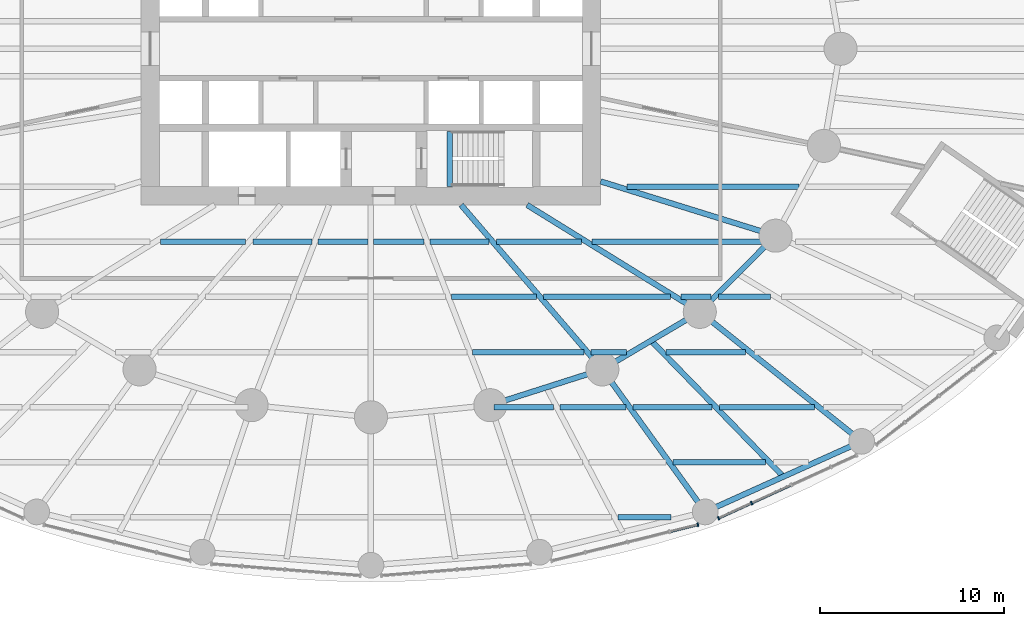
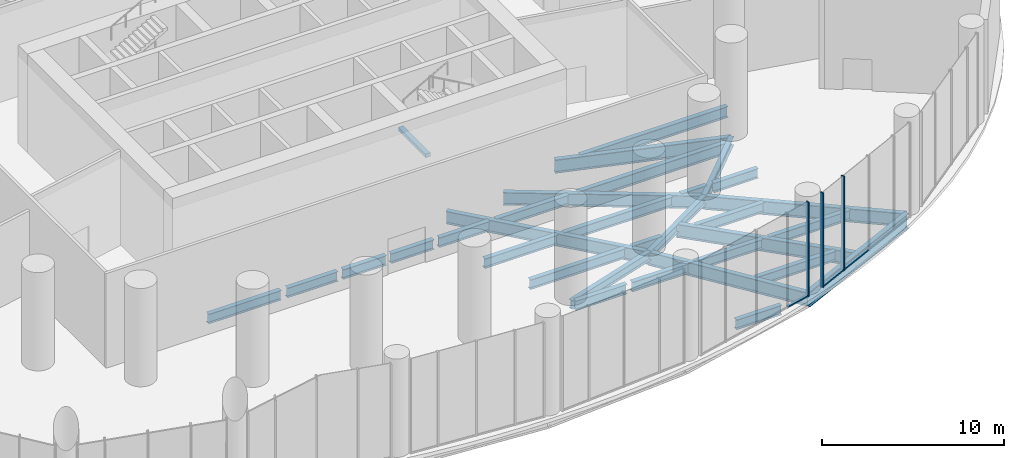
# One storey, part 5 of 22: 32 beams, 6 members, 2 elements without a shape of their own.
"""IFC4 building model written with IfcOpenShell, lengths in metres."""

from ifc_helpers import new_model, si_unit, direction, frame, origin, origin_2d, place, context, subcontext, project, spatial, rectangle, i_section, extrude, material, material_profile, profile_set, type_object, element, aggregate, save


model = new_model("IFC4")

# Units and contexts
model_context = context("Model", 3, precision=1e-05, world=origin(), true_north=direction((0.0, 1.0)))
body_context = subcontext(model_context, "Body", "Model", "MODEL_VIEW")
ifc_project = project(units=[si_unit("LENGTHUNIT", "METRE"), si_unit("AREAUNIT", "SQUARE_METRE"), si_unit("VOLUMEUNIT", "CUBIC_METRE"), si_unit("PLANEANGLEUNIT", "RADIAN"), si_unit("MASSUNIT", "GRAM", prefix="KILO")], contexts=[model_context])

# Site, building, storey
site_placement = place(None, origin())
site = spatial("IfcSite", under=ifc_project, at=site_placement, CompositionType="ELEMENT")
building_placement = place(site_placement, origin())
building = spatial("IfcBuilding", under=site, at=building_placement, Name="Hankou Lantern Tower", CompositionType="ELEMENT")
storey_placement = place(building_placement, frame((0.0, 0.0, 7.199951171875)))
storey = spatial("IfcBuildingStorey", under=building, at=storey_placement, Name="L01", CompositionType="ELEMENT", Elevation=7.199951171875)

# Beams
ifc_material_1 = material(Name="Steel Q355B", Category="steel")
ifc_material_profile_1 = material_profile(ifc_material_1, i_section(OverallWidth=0.300048828125, OverallDepth=0.587890625, WebThickness=0.011962890625, FlangeThickness=0.02001953125, FilletRadius=0.01806640625, at=origin_2d()), Name="HM588x300x12x20")
ifc_profile_set_1 = profile_set([ifc_material_profile_1], Name="Steel Q355B")
beam_type_1 = type_object("IfcBeamType", Name="EB16 RING BEAM HM588x300x12x20", PredefinedType="SPANDREL", material=ifc_profile_set_1)
beam_1_placement = place(storey_placement, frame((6.494873046875, -19.391357421875, -0.5439453125), z_axis=(0.952690479428, 0.303942182671, 0.0), x_axis=(-0.303942182671, 0.952690479428, 0.0)))
element("IfcBeam", 1, at=beam_1_placement, inside=storey, type_object=beam_type_1, Name="Ring beam R20-R21 L01", PredefinedType="SPANDREL", context=body_context, shape_type="SweptSolid", body=[
    extrude(i_section(OverallWidth=0.300048828125, OverallDepth=0.587890625, WebThickness=0.011962890625, FlangeThickness=0.02001953125, FilletRadius=0.01806640625, at=origin_2d()), origin(), (0.0, 0.0, 1.0), 6.398681640625),
])
beam_2_placement = place(storey_placement, frame((12.5908203125, -17.446533203125, -0.5439453125), z_axis=(0.860881533543, 0.508805449268, 0.0), x_axis=(-0.508805449268, 0.860881533543, 0.0)))
element("IfcBeam", 2, at=beam_2_placement, inside=storey, type_object=beam_type_1, Name="Ring beam R21-R22 L01", PredefinedType="SPANDREL", context=body_context, shape_type="SweptSolid", body=[
    extrude(i_section(OverallWidth=0.300048828125, OverallDepth=0.587890625, WebThickness=0.011962890625, FlangeThickness=0.02001953125, FilletRadius=0.01806640625, at=origin_2d()), origin(), (0.0, 0.0, 1.0), 6.15771484375),
])
beam_3_placement = place(storey_placement, frame((17.891845703125, -14.3134765625, -0.5439453125), z_axis=(0.705727798394, 0.708483079949, 0.0), x_axis=(-0.708483079949, 0.705727798394, 0.0)))
element("IfcBeam", 3, at=beam_3_placement, inside=storey, type_object=beam_type_1, Name="Ring beam R22-R23 L01", PredefinedType="SPANDREL", context=body_context, shape_type="SweptSolid", body=[
    extrude(i_section(OverallWidth=0.300048828125, OverallDepth=0.587890625, WebThickness=0.011962890625, FlangeThickness=0.02001953125, FilletRadius=0.01806640625, at=origin_2d()), origin(), (0.0, 0.0, 1.0), 5.84814453125),
])
ifc_material_2 = material(Name="Concrete C40", Category="concrete")
ifc_material_profile_2 = material_profile(ifc_material_2, rectangle(XDim=0.300048828125, YDim=0.25, at=origin_2d()), Name="RC 300x250")
ifc_profile_set_2 = profile_set([ifc_material_profile_2], Name="Concrete C40")
beam_type_2 = type_object("IfcBeamType", Name="LB1 STAIR LANDING BEAM RC 300x250", PredefinedType="BEAM", material=ifc_profile_set_2)
beam_4_placement = place(storey_placement, frame((4.300048828125, -4.5, 3.017822265625), z_axis=(0.0, -1.0, 0.0), x_axis=(1.0, 0.0, 0.0)))
element("IfcBeam", 4, at=beam_4_placement, inside=storey, type_object=beam_type_2, Name="Stair STB landing beam L01", PredefinedType="BEAM", context=body_context, shape_type="SweptSolid", body=[
    extrude(rectangle(XDim=0.300048828125, YDim=0.25, at=origin_2d()), origin(), (0.0, 0.0, 1.0), 3.0),
])

# Curtain wall, member
ifc_material_3 = material(Name="Glass, dark grey tinted laminated", Category="glass")
curtain_wall_type = type_object("IfcCurtainWallType", Name="CWP PODIUM CURTAIN WALL", PredefinedType="USERDEFINED", material=ifc_material_3)
curtain_wall_1_placement = place(storey_placement, origin())
curtain_wall_1 = element("IfcCurtainWall", 5, at=curtain_wall_1_placement, inside=storey, type_object=curtain_wall_type, Name="CWP L01 PC16", ObjectType="PODIUM GLAZING", PredefinedType="USERDEFINED")
ifc_material_4 = material(Name="Aluminium, black anodised", Category="aluminium")
ifc_material_profile_3 = material_profile(ifc_material_4, rectangle(XDim=0.080078125, YDim=0.199951171875, at=origin_2d()), Name="MU2 80X200")
ifc_profile_set_3 = profile_set([ifc_material_profile_3], Name="Aluminium, black anodised")
member_type_1 = type_object("IfcMemberType", Name="MU2 PODIUM MULLION 80X200", PredefinedType="MULLION", material=ifc_profile_set_3)
member_1_placement = place(storey_placement, frame((17.785888671875, -25.892333984375, 0.0), z_axis=(0.0, 0.0, 1.0), x_axis=(0.970960955091, 0.239238006364, 0.0)))
member_1 = element("IfcMember", 6, at=member_1_placement, type_object=member_type_1, Name="CWP mullion 5", PredefinedType="MULLION", context=body_context, shape_type="SweptSolid", body=[
    extrude(rectangle(XDim=0.080078125, YDim=0.199951171875, at=origin_2d()), origin(), (0.0, 0.0, 1.0), 6.35009765625),
])

# Curtain wall, members
curtain_wall_2_placement = place(storey_placement, origin())
curtain_wall_2 = element("IfcCurtainWall", 7, at=curtain_wall_2_placement, inside=storey, type_object=curtain_wall_type, Name="CWP L01 PC17", ObjectType="PODIUM GLAZING", PredefinedType="USERDEFINED")
member_2_placement = place(storey_placement, frame((18.913818359375, -25.537841796875, 0.0), z_axis=(0.0, 0.0, 1.0), x_axis=(0.909669790944, 0.41533224224, 0.0)))
member_2 = element("IfcMember", 8, at=member_2_placement, type_object=member_type_1, Name="CWP mullion 1", PredefinedType="MULLION", context=body_context, shape_type="SweptSolid", body=[
    extrude(rectangle(XDim=0.080078125, YDim=0.199951171875, at=origin_2d()), origin(), (0.0, 0.0, 1.0), 6.35009765625),
])
member_3_placement = place(storey_placement, frame((20.711669921875, -24.717041015625, 0.0), z_axis=(0.0, 0.0, 1.0), x_axis=(0.909669790944, 0.41533224224, 0.0)))
member_3 = element("IfcMember", 9, at=member_3_placement, type_object=member_type_1, Name="CWP mullion 2", PredefinedType="MULLION", context=body_context, shape_type="SweptSolid", body=[
    extrude(rectangle(XDim=0.080078125, YDim=0.199951171875, at=origin_2d()), origin(), (0.0, 0.0, 1.0), 6.35009765625),
])

# Beams
ifc_material_5 = material(Name="Steel Q355B", Category="steel")
ifc_material_profile_4 = material_profile(ifc_material_5, i_section(OverallWidth=0.300048828125, OverallDepth=0.89990234375, WebThickness=0.01611328125, FlangeThickness=0.028076171875, FilletRadius=0.01806640625, at=origin_2d()), Name="HN900x300x16x28")
ifc_profile_set_4 = profile_set([ifc_material_profile_4], Name="Steel Q355B")
beam_type_3 = type_object("IfcBeamType", Name="PB13 PODIUM RADIAL BEAM HN900x300x16x28", PredefinedType="BEAM", material=ifc_profile_set_4)
beam_5_placement = place(storey_placement, frame((12.5908203125, -17.446533203125, -0.699951171875), z_axis=(0.585207097055, -0.810883871807, 0.0), x_axis=(0.810883871807, 0.585207097055, 0.0)))
element("IfcBeam", 10, at=beam_5_placement, inside=storey, type_object=beam_type_3, Name="Podium radial beam R21 L01", PredefinedType="BEAM", context=body_context, shape_type="SweptSolid", body=[
    extrude(i_section(OverallWidth=0.300048828125, OverallDepth=0.89990234375, WebThickness=0.01611328125, FlangeThickness=0.028076171875, FilletRadius=0.01806640625, at=origin_2d()), origin(), (0.0, 0.0, 1.0), 9.56103515625),
])
beam_6_placement = place(storey_placement, frame((17.891845703125, -14.3134765625, -0.699951171875), z_axis=(0.780875142676, -0.624687130931, 0.0), x_axis=(0.624687130931, 0.780875142676, 0.0)))
element("IfcBeam", 11, at=beam_6_placement, inside=storey, type_object=beam_type_3, Name="Podium radial beam R22 L01", PredefinedType="BEAM", context=body_context, shape_type="SweptSolid", body=[
    extrude(i_section(OverallWidth=0.300048828125, OverallDepth=0.89990234375, WebThickness=0.01611328125, FlangeThickness=0.028076171875, FilletRadius=0.01806640625, at=origin_2d()), origin(), (0.0, 0.0, 1.0), 11.28271484375),
])
ifc_material_6 = material(Name="Steel Q355B", Category="steel")
ifc_material_profile_5 = material_profile(ifc_material_6, i_section(OverallWidth=0.300048828125, OverallDepth=1.0, WebThickness=0.01904296875, FlangeThickness=0.035888671875, FilletRadius=0.01806640625, at=origin_2d()), Name="HN1000x300x19x36")
ifc_profile_set_5 = profile_set([ifc_material_profile_5], Name="Steel Q355B")
beam_type_4 = type_object("IfcBeamType", Name="PR22 PODIUM RING BEAM HN1000x300x19x36", PredefinedType="BEAM", material=ifc_profile_set_5)
beam_7_placement = place(storey_placement, frame((18.18603515625, -25.199462890625, -0.75), z_axis=(0.911695429723, 0.410866697874, 0.0), x_axis=(-0.410866697874, 0.911695429723, 0.0)))
element("IfcBeam", 12, at=beam_7_placement, inside=storey, type_object=beam_type_4, Name="Podium ring beam R21-R22 L01", PredefinedType="BEAM", context=body_context, shape_type="SweptSolid", body=[
    extrude(i_section(OverallWidth=0.300048828125, OverallDepth=1.0, WebThickness=0.01904296875, FlangeThickness=0.035888671875, FilletRadius=0.01806640625, at=origin_2d()), origin(), (0.0, 0.0, 1.0), 9.341064453125),
])
ifc_material_7 = material(Name="Steel Q355B", Category="steel")
ifc_material_profile_6 = material_profile(ifc_material_7, i_section(OverallWidth=0.300048828125, OverallDepth=0.89990234375, WebThickness=0.01611328125, FlangeThickness=0.028076171875, FilletRadius=0.01806640625, at=origin_2d()), Name="HN900x300x16x28")
ifc_profile_set_6 = profile_set([ifc_material_profile_6], Name="Steel Q355B")
beam_type_5 = type_object("IfcBeamType", Name="PS13 PODIUM SECONDARY BEAM HN900x300x16x28", PredefinedType="JOIST", material=ifc_profile_set_6)
beam_8_placement = place(storey_placement, frame((15.2412109375, -15.8798828125, -0.699951171875), z_axis=(0.697467529957, -0.716616385981, 0.0), x_axis=(0.716616385981, 0.697467529957, 0.0)))
element("IfcBeam", 13, at=beam_8_placement, inside=storey, type_object=beam_type_5, Name="Podium secondary beam bay R21 L01", PredefinedType="JOIST", context=body_context, shape_type="SweptSolid", body=[
    extrude(i_section(OverallWidth=0.300048828125, OverallDepth=0.89990234375, WebThickness=0.01611328125, FlangeThickness=0.028076171875, FilletRadius=0.01806640625, at=origin_2d()), origin(), (0.0, 0.0, 1.0), 10.3271484375),
])
ifc_material_8 = material(Name="Steel Q355B", Category="steel")
ifc_material_profile_7 = material_profile(ifc_material_8, i_section(OverallWidth=0.300048828125, OverallDepth=0.85009765625, WebThickness=0.01611328125, FlangeThickness=0.027099609375, FilletRadius=0.01806640625, at=origin_2d()), Name="HN850x300x16x27")
ifc_profile_set_7 = profile_set([ifc_material_profile_7], Name="Steel Q355B")
beam_type_6 = type_object("IfcBeamType", Name="RB12 RADIAL BEAM HN850x300x16x27", PredefinedType="BEAM", material=ifc_profile_set_7)
beam_9_placement = place(storey_placement, frame((4.907470703125, -8.5, -0.675048828125), z_axis=(0.651519061225, -0.758632264579, 0.0), x_axis=(0.758632264579, 0.651519061225, 0.0)))
element("IfcBeam", 14, at=beam_9_placement, inside=storey, type_object=beam_type_6, Name="Radial beam R21 L01", PredefinedType="BEAM", context=body_context, shape_type="SweptSolid", body=[
    extrude(i_section(OverallWidth=0.300048828125, OverallDepth=0.85009765625, WebThickness=0.01611328125, FlangeThickness=0.027099609375, FilletRadius=0.01806640625, at=origin_2d()), origin(), (0.0, 0.0, 1.0), 11.79296875),
])
beam_10_placement = place(storey_placement, frame((8.5, -8.5, -0.675048828125), z_axis=(0.850286343288, -0.526320372414, 0.0), x_axis=(0.526320372414, 0.850286343288, 0.0)))
element("IfcBeam", 15, at=beam_10_placement, inside=storey, type_object=beam_type_6, Name="Radial beam R22 L01", PredefinedType="BEAM", context=body_context, shape_type="SweptSolid", body=[
    extrude(i_section(OverallWidth=0.300048828125, OverallDepth=0.85009765625, WebThickness=0.01611328125, FlangeThickness=0.027099609375, FilletRadius=0.01806640625, at=origin_2d()), origin(), (0.0, 0.0, 1.0), 11.04541015625),
])
ifc_material_9 = material(Name="Steel Q355B", Category="steel")
ifc_material_profile_8 = material_profile(ifc_material_9, i_section(OverallWidth=0.300048828125, OverallDepth=0.89990234375, WebThickness=0.01611328125, FlangeThickness=0.028076171875, FilletRadius=0.01806640625, at=origin_2d()), Name="HN900x300x16x28")
ifc_profile_set_8 = profile_set([ifc_material_profile_8], Name="Steel Q355B")
beam_type_7 = type_object("IfcBeamType", Name="RB13 RADIAL BEAM HN900x300x16x28", PredefinedType="BEAM", material=ifc_profile_set_8)
beam_11_placement = place(storey_placement, frame((12.5, -7.216796875, -0.699951171875), z_axis=(0.955087327755, -0.29632447817, 0.0), x_axis=(0.29632447817, 0.955087327755, 0.0)))
element("IfcBeam", 16, at=beam_11_placement, inside=storey, type_object=beam_type_7, Name="Radial beam R23 L01", PredefinedType="BEAM", context=body_context, shape_type="SweptSolid", body=[
    extrude(i_section(OverallWidth=0.300048828125, OverallDepth=0.89990234375, WebThickness=0.01611328125, FlangeThickness=0.028076171875, FilletRadius=0.01806640625, at=origin_2d()), origin(), (0.0, 0.0, 1.0), 9.966552734375),
])
ifc_material_10 = material(Name="Steel Q355B", Category="steel")
ifc_material_profile_9 = material_profile(ifc_material_10, i_section(OverallWidth=0.300048828125, OverallDepth=0.75, WebThickness=0.012939453125, FlangeThickness=0.02392578125, FilletRadius=0.01806640625, at=origin_2d()), Name="HN750x300x13x24")
ifc_profile_set_9 = profile_set([ifc_material_profile_9], Name="Steel Q355B")
beam_type_8 = type_object("IfcBeamType", Name="SB10 SECONDARY BEAM HN750x300x13x24", PredefinedType="JOIST", material=ifc_profile_set_9)
beam_12_placement = place(storey_placement, frame((12.01611328125, -10.5, -0.625), z_axis=(1.0, 0.0, 0.0), x_axis=(0.0, 1.0, 0.0)))
element("IfcBeam", 17, at=beam_12_placement, inside=storey, type_object=beam_type_8, Name="Floor joist J067 L01", PredefinedType="JOIST", context=body_context, shape_type="SweptSolid", body=[
    extrude(i_section(OverallWidth=0.300048828125, OverallDepth=0.75, WebThickness=0.012939453125, FlangeThickness=0.02392578125, FilletRadius=0.01806640625, at=origin_2d()), origin(), (0.0, 0.0, 1.0), 9.462646484375),
])
beam_13_placement = place(storey_placement, frame((13.918701171875, -7.5, -0.625), z_axis=(1.0, 0.0, 0.0), x_axis=(0.0, 1.0, 0.0)))
element("IfcBeam", 18, at=beam_13_placement, inside=storey, type_object=beam_type_8, Name="Floor joist J072 L01", PredefinedType="JOIST", context=body_context, shape_type="SweptSolid", body=[
    extrude(i_section(OverallWidth=0.300048828125, OverallDepth=0.75, WebThickness=0.012939453125, FlangeThickness=0.02392578125, FilletRadius=0.01806640625, at=origin_2d()), origin(), (0.0, 0.0, 1.0), 9.365966796875),
])
ifc_material_11 = material(Name="Steel Q355B", Category="steel")
ifc_material_profile_10 = material_profile(ifc_material_11, i_section(OverallWidth=0.300048828125, OverallDepth=0.64990234375, WebThickness=0.010986328125, FlangeThickness=0.01708984375, FilletRadius=0.01806640625, at=origin_2d()), Name="HN650x300x11x17")
ifc_profile_set_10 = profile_set([ifc_material_profile_10], Name="Steel Q355B")
beam_type_9 = type_object("IfcBeamType", Name="SB8 SECONDARY BEAM HN650x300x11x17", PredefinedType="JOIST", material=ifc_profile_set_10)
beam_14_placement = place(storey_placement, frame((13.431884765625, -25.5, -0.574951171875), z_axis=(1.0, 0.0, 0.0), x_axis=(0.0, 1.0, 0.0)))
element("IfcBeam", 19, at=beam_14_placement, inside=storey, type_object=beam_type_9, Name="Floor joist J008 L01", PredefinedType="JOIST", context=body_context, shape_type="SweptSolid", body=[
    extrude(i_section(OverallWidth=0.300048828125, OverallDepth=0.64990234375, WebThickness=0.010986328125, FlangeThickness=0.01708984375, FilletRadius=0.01806640625, at=origin_2d()), origin(), (0.0, 0.0, 1.0), 2.883544921875),
])
beam_15_placement = place(storey_placement, frame((16.423095703125, -22.5, -0.574951171875), z_axis=(1.0, 0.0, 0.0), x_axis=(0.0, 1.0, 0.0)))
element("IfcBeam", 20, at=beam_15_placement, inside=storey, type_object=beam_type_9, Name="Floor joist J019 L01", PredefinedType="JOIST", context=body_context, shape_type="SweptSolid", body=[
    extrude(i_section(OverallWidth=0.300048828125, OverallDepth=0.64990234375, WebThickness=0.010986328125, FlangeThickness=0.01708984375, FilletRadius=0.01806640625, at=origin_2d()), origin(), (0.0, 0.0, 1.0), 5.052001953125),
])
beam_16_placement = place(storey_placement, frame((6.689453125, -19.5, -0.574951171875), z_axis=(1.0, 0.0, 0.0), x_axis=(0.0, 1.0, 0.0)))
element("IfcBeam", 21, at=beam_16_placement, inside=storey, type_object=beam_type_9, Name="Floor joist J028 L01", PredefinedType="JOIST", context=body_context, shape_type="SweptSolid", body=[
    extrude(i_section(OverallWidth=0.300048828125, OverallDepth=0.64990234375, WebThickness=0.010986328125, FlangeThickness=0.01708984375, FilletRadius=0.01806640625, at=origin_2d()), origin(), (0.0, 0.0, 1.0), 3.251953125),
])
beam_17_placement = place(storey_placement, frame((10.2802734375, -19.5, -0.574951171875), z_axis=(1.0, 0.0, 0.0), x_axis=(0.0, 1.0, 0.0)))
element("IfcBeam", 22, at=beam_17_placement, inside=storey, type_object=beam_type_9, Name="Floor joist J029 L01", PredefinedType="JOIST", context=body_context, shape_type="SweptSolid", body=[
    extrude(i_section(OverallWidth=0.300048828125, OverallDepth=0.64990234375, WebThickness=0.010986328125, FlangeThickness=0.01708984375, FilletRadius=0.01806640625, at=origin_2d()), origin(), (0.0, 0.0, 1.0), 3.607666015625),
])
beam_18_placement = place(storey_placement, frame((14.2578125, -19.5, -0.574951171875), z_axis=(1.0, 0.0, 0.0), x_axis=(0.0, 1.0, 0.0)))
element("IfcBeam", 23, at=beam_18_placement, inside=storey, type_object=beam_type_9, Name="Floor joist J030 L01", PredefinedType="JOIST", context=body_context, shape_type="SweptSolid", body=[
    extrude(i_section(OverallWidth=0.300048828125, OverallDepth=0.64990234375, WebThickness=0.010986328125, FlangeThickness=0.01708984375, FilletRadius=0.01806640625, at=origin_2d()), origin(), (0.0, 0.0, 1.0), 4.29736328125),
])
beam_19_placement = place(storey_placement, frame((18.973876953125, -19.5, -0.574951171875), z_axis=(1.0, 0.0, 0.0), x_axis=(0.0, 1.0, 0.0)))
element("IfcBeam", 24, at=beam_19_placement, inside=storey, type_object=beam_type_9, Name="Floor joist J031 L01", PredefinedType="JOIST", context=body_context, shape_type="SweptSolid", body=[
    extrude(i_section(OverallWidth=0.300048828125, OverallDepth=0.64990234375, WebThickness=0.010986328125, FlangeThickness=0.01708984375, FilletRadius=0.01806640625, at=origin_2d()), origin(), (0.0, 0.0, 1.0), 5.160888671875),
])
beam_20_placement = place(storey_placement, frame((5.5361328125, -16.5, -0.574951171875), z_axis=(1.0, 0.0, 0.0), x_axis=(0.0, 1.0, 0.0)))
element("IfcBeam", 25, at=beam_20_placement, inside=storey, type_object=beam_type_9, Name="Floor joist J040 L01", PredefinedType="JOIST", context=body_context, shape_type="SweptSolid", body=[
    extrude(i_section(OverallWidth=0.300048828125, OverallDepth=0.64990234375, WebThickness=0.010986328125, FlangeThickness=0.01708984375, FilletRadius=0.01806640625, at=origin_2d()), origin(), (0.0, 0.0, 1.0), 6.044189453125),
])
beam_21_placement = place(storey_placement, frame((11.975830078125, -16.5, -0.574951171875), z_axis=(1.0, 0.0, 0.0), x_axis=(0.0, 1.0, 0.0)))
element("IfcBeam", 26, at=beam_21_placement, inside=storey, type_object=beam_type_9, Name="Floor joist J041 L01", PredefinedType="JOIST", context=body_context, shape_type="SweptSolid", body=[
    extrude(i_section(OverallWidth=0.300048828125, OverallDepth=0.64990234375, WebThickness=0.010986328125, FlangeThickness=0.01708984375, FilletRadius=0.01806640625, at=origin_2d()), origin(), (0.0, 0.0, 1.0), 1.921630859375),
])
beam_22_placement = place(storey_placement, frame((16.05419921875, -16.5, -0.574951171875), z_axis=(1.0, 0.0, 0.0), x_axis=(0.0, 1.0, 0.0)))
element("IfcBeam", 27, at=beam_22_placement, inside=storey, type_object=beam_type_9, Name="Floor joist J042 L01", PredefinedType="JOIST", context=body_context, shape_type="SweptSolid", body=[
    extrude(i_section(OverallWidth=0.300048828125, OverallDepth=0.64990234375, WebThickness=0.010986328125, FlangeThickness=0.01708984375, FilletRadius=0.01806640625, at=origin_2d()), origin(), (0.0, 0.0, 1.0), 4.33056640625),
])
beam_23_placement = place(storey_placement, frame((4.37451171875, -13.5, -0.574951171875), z_axis=(1.0, 0.0, 0.0), x_axis=(0.0, 1.0, 0.0)))
element("IfcBeam", 28, at=beam_23_placement, inside=storey, type_object=beam_type_9, Name="Floor joist J053 L01", PredefinedType="JOIST", context=body_context, shape_type="SweptSolid", body=[
    extrude(i_section(OverallWidth=0.300048828125, OverallDepth=0.64990234375, WebThickness=0.010986328125, FlangeThickness=0.01708984375, FilletRadius=0.01806640625, at=origin_2d()), origin(), (0.0, 0.0, 1.0), 4.62939453125),
])
beam_24_placement = place(storey_placement, frame((9.3994140625, -13.5, -0.574951171875), z_axis=(1.0, 0.0, 0.0), x_axis=(0.0, 1.0, 0.0)))
element("IfcBeam", 29, at=beam_24_placement, inside=storey, type_object=beam_type_9, Name="Floor joist J054 L01", PredefinedType="JOIST", context=body_context, shape_type="SweptSolid", body=[
    extrude(i_section(OverallWidth=0.300048828125, OverallDepth=0.64990234375, WebThickness=0.010986328125, FlangeThickness=0.01708984375, FilletRadius=0.01806640625, at=origin_2d()), origin(), (0.0, 0.0, 1.0), 6.893310546875),
])
beam_25_placement = place(storey_placement, frame((16.86279296875, -13.5, -0.574951171875), z_axis=(1.0, 0.0, 0.0), x_axis=(0.0, 1.0, 0.0)))
element("IfcBeam", 30, at=beam_25_placement, inside=storey, type_object=beam_type_9, Name="Floor joist J055 L01", PredefinedType="JOIST", context=body_context, shape_type="SweptSolid", body=[
    extrude(i_section(OverallWidth=0.300048828125, OverallDepth=0.64990234375, WebThickness=0.010986328125, FlangeThickness=0.01708984375, FilletRadius=0.01806640625, at=origin_2d()), origin(), (0.0, 0.0, 1.0), 1.62744140625),
])
beam_26_placement = place(storey_placement, frame((18.913818359375, -13.5, -0.574951171875), z_axis=(1.0, 0.0, 0.0), x_axis=(0.0, 1.0, 0.0)))
element("IfcBeam", 31, at=beam_26_placement, inside=storey, type_object=beam_type_9, Name="Floor joist J056 L01", PredefinedType="JOIST", context=body_context, shape_type="SweptSolid", body=[
    extrude(i_section(OverallWidth=0.300048828125, OverallDepth=0.64990234375, WebThickness=0.010986328125, FlangeThickness=0.01708984375, FilletRadius=0.01806640625, at=origin_2d()), origin(), (0.0, 0.0, 1.0), 2.832275390625),
])
beam_27_placement = place(storey_placement, frame((-11.446044921875, -10.5, -0.574951171875), z_axis=(1.0, 0.0, 0.0), x_axis=(0.0, 1.0, 0.0)))
element("IfcBeam", 32, at=beam_27_placement, inside=storey, type_object=beam_type_9, Name="Floor joist J061 L01", PredefinedType="JOIST", context=body_context, shape_type="SweptSolid", body=[
    extrude(i_section(OverallWidth=0.300048828125, OverallDepth=0.64990234375, WebThickness=0.010986328125, FlangeThickness=0.01708984375, FilletRadius=0.01806640625, at=origin_2d()), origin(), (0.0, 0.0, 1.0), 4.623291015625),
])
beam_28_placement = place(storey_placement, frame((-6.427490234375, -10.5, -0.574951171875), z_axis=(1.0, 0.0, 0.0), x_axis=(0.0, 1.0, 0.0)))
element("IfcBeam", 33, at=beam_28_placement, inside=storey, type_object=beam_type_9, Name="Floor joist J062 L01", PredefinedType="JOIST", context=body_context, shape_type="SweptSolid", body=[
    extrude(i_section(OverallWidth=0.300048828125, OverallDepth=0.64990234375, WebThickness=0.010986328125, FlangeThickness=0.01708984375, FilletRadius=0.01806640625, at=origin_2d()), origin(), (0.0, 0.0, 1.0), 3.214599609375),
])
for number, where, z_axis, x_axis, name in (
    (34, (-2.89111328125, -10.5, -0.574951171875), (1.0, 0.0, 0.0), (0.0, 1.0, 0.0), "Floor joist J063 L01"),
    (35, (0.14990234375, -10.5, -0.574951171875), (1.0, 0.0, 0.0), (0.0, 1.0, 0.0), "Floor joist J064 L01"),
):
    element("IfcBeam", number, at=place(storey_placement, frame(where, z_axis=z_axis, x_axis=x_axis)), inside=storey, type_object=beam_type_9, Name=name, PredefinedType="JOIST", context=body_context, shape_type="SweptSolid", body=[
        extrude(i_section(OverallWidth=0.300048828125, OverallDepth=0.64990234375, WebThickness=0.010986328125, FlangeThickness=0.01708984375, FilletRadius=0.01806640625, at=origin_2d()), origin(), (0.0, 0.0, 1.0), 2.7412109375),
    ])
beam_29_placement = place(storey_placement, frame((3.212890625, -10.5, -0.574951171875), z_axis=(1.0, 0.0, 0.0), x_axis=(0.0, 1.0, 0.0)))
element("IfcBeam", 36, at=beam_29_placement, inside=storey, type_object=beam_type_9, Name="Floor joist J065 L01", PredefinedType="JOIST", context=body_context, shape_type="SweptSolid", body=[
    extrude(i_section(OverallWidth=0.300048828125, OverallDepth=0.64990234375, WebThickness=0.010986328125, FlangeThickness=0.01708984375, FilletRadius=0.01806640625, at=origin_2d()), origin(), (0.0, 0.0, 1.0), 3.214599609375),
])
beam_30_placement = place(storey_placement, frame((6.82275390625, -10.5, -0.574951171875), z_axis=(1.0, 0.0, 0.0), x_axis=(0.0, 1.0, 0.0)))
element("IfcBeam", 37, at=beam_30_placement, inside=storey, type_object=beam_type_9, Name="Floor joist J066 L01", PredefinedType="JOIST", context=body_context, shape_type="SweptSolid", body=[
    extrude(i_section(OverallWidth=0.300048828125, OverallDepth=0.64990234375, WebThickness=0.010986328125, FlangeThickness=0.01708984375, FilletRadius=0.01806640625, at=origin_2d()), origin(), (0.0, 0.0, 1.0), 4.623291015625),
])

# Member
ifc_material_12 = material(Name="Aluminium, black anodised", Category="aluminium")
ifc_material_profile_11 = material_profile(ifc_material_12, rectangle(XDim=0.14990234375, YDim=0.080078125, at=origin_2d()), Name="TR2 150X80")
ifc_profile_set_11 = profile_set([ifc_material_profile_11], Name="Aluminium, black anodised")
member_type_2 = type_object("IfcMemberType", Name="TR2 PODIUM TRANSOM 150X80", PredefinedType="USERDEFINED", material=ifc_profile_set_11)
member_4_placement = place(storey_placement, frame((16.293212890625, -26.260009765625, 0.0400390625), z_axis=(0.970971197991, 0.239196431142, 0.0), x_axis=(-0.239196431142, 0.970971197991, 0.0)))
member_4 = element("IfcMember", 38, at=member_4_placement, type_object=member_type_2, Name="CWP transom 4", ObjectType="TRANSOM", PredefinedType="USERDEFINED", context=body_context, shape_type="SweptSolid", body=[
    extrude(rectangle(XDim=0.14990234375, YDim=0.080078125, at=origin_2d()), origin(), (0.0, 0.0, 1.0), 1.497314453125),
])

aggregate(curtain_wall_1, [member_1, member_4])

member_5_placement = place(storey_placement, frame((18.9501953125, -25.521240234375, 0.0400390625), z_axis=(0.909677430468, 0.41531550958, 0.0), x_axis=(-0.41531550958, 0.909677430468, 0.0)))
member_5 = element("IfcMember", 39, at=member_5_placement, type_object=member_type_2, Name="CWP transom 1", ObjectType="TRANSOM", PredefinedType="USERDEFINED", context=body_context, shape_type="SweptSolid", body=[
    extrude(rectangle(XDim=0.14990234375, YDim=0.080078125, at=origin_2d()), origin(), (0.0, 0.0, 1.0), 1.896484375),
])

member_6_placement = place(storey_placement, frame((20.748046875, -24.700439453125, 0.0400390625), z_axis=(0.909669664149, 0.415332519949, 0.0), x_axis=(-0.415332519949, 0.909669664149, 0.0)))
member_6 = element("IfcMember", 40, at=member_6_placement, type_object=member_type_2, Name="CWP transom 2", ObjectType="TRANSOM", PredefinedType="USERDEFINED", context=body_context, shape_type="SweptSolid", body=[
    extrude(rectangle(XDim=0.14990234375, YDim=0.080078125, at=origin_2d()), origin(), (0.0, 0.0, 1.0), 2.296142578125),
])

aggregate(curtain_wall_2, [member_2, member_3, member_5, member_6])

save(model, "model.ifc")
